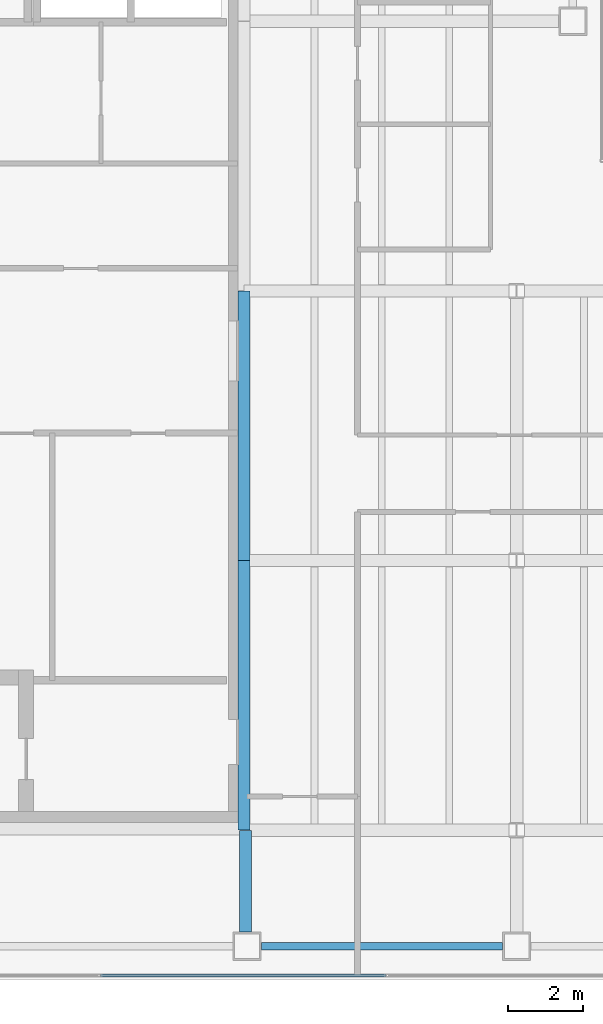
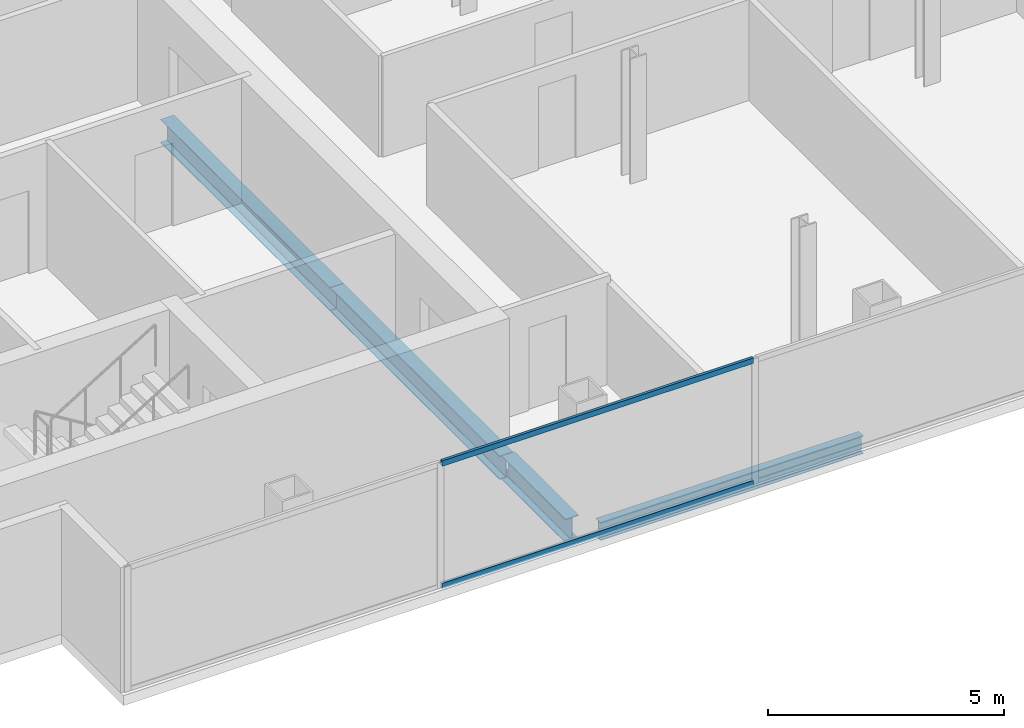
# One storey, part 3 of 23: 4 beams, 2 members, 1 element without a shape of its own.
"""IFC4 building model written with IfcOpenShell, lengths in metres."""

from ifc_helpers import new_model, si_unit, direction, frame, origin, origin_2d, place, context, subcontext, project, spatial, hollow_rectangle, i_section, extrude, material, material_profile, profile_set, type_object, element, aggregate, save


model = new_model("IFC4")

# Units and contexts
model_context = context("Model", 3, precision=1e-05, world=origin(), true_north=direction((0.0, 1.0)))
body_context = subcontext(model_context, "Body", "Model", "MODEL_VIEW")
ifc_project = project(units=[si_unit("LENGTHUNIT", "METRE"), si_unit("AREAUNIT", "SQUARE_METRE"), si_unit("VOLUMEUNIT", "CUBIC_METRE"), si_unit("PLANEANGLEUNIT", "RADIAN"), si_unit("MASSUNIT", "GRAM", prefix="KILO")], contexts=[model_context])

# Site, building, storey
site_placement = place(None, origin())
site = spatial("IfcSite", under=ifc_project, at=site_placement, CompositionType="ELEMENT")
building_placement = place(site_placement, origin())
building = spatial("IfcBuilding", under=site, at=building_placement, Name="Cobrela Telecom Tower", CompositionType="ELEMENT")
storey_placement = place(building_placement, frame((0.0, 0.0, 215.25)))
storey = spatial("IfcBuildingStorey", under=building, at=storey_placement, Name="L55", CompositionType="ELEMENT", Elevation=215.25)

# Beams
ifc_material_1 = material(Name="Steel ASTM A992 Grade 50", Category="steel")
ifc_material_profile_1 = material_profile(ifc_material_1, i_section(OverallWidth=0.324951171875, OverallDepth=0.612060546875, WebThickness=0.0126953125, FlangeThickness=0.01904296875, FilletRadius=0.014892578125, at=origin_2d()), Name="W24X104")
ifc_profile_set_1 = profile_set([ifc_material_profile_1], Name="Steel ASTM A992 Grade 50")
beam_type_1 = type_object("IfcBeamType", Name="BM-GIRD-07", PredefinedType="USERDEFINED", material=ifc_profile_set_1)
beam_1_placement = place(storey_placement, frame((14.360107421875, 4.47998046875, -0.56591796875), z_axis=(0.0, 1.0, 0.0), x_axis=(-1.0, 0.0, 0.0)))
element("IfcBeam", 1, at=beam_1_placement, inside=storey, type_object=beam_type_1, Name="L55 Primary Girder Y26", ObjectType="GIRDER", PredefinedType="USERDEFINED", context=body_context, shape_type="SweptSolid", body=[
    extrude(i_section(OverallWidth=0.324951171875, OverallDepth=0.612060546875, WebThickness=0.0126953125, FlangeThickness=0.01904296875, FilletRadius=0.014892578125, at=origin_2d()), origin(), (0.0, 0.0, 1.0), 2.715087890625),
])
for number, where, z_axis, x_axis, name in (
    (2, (14.320068359375, 7.205078125, -0.56591796875), (0.0, 1.0, 0.0), (-1.0, 0.0, 0.0), "L55 Primary Girder Y27"),
    (3, (14.320068359375, 14.405029296875, -0.56591796875), (0.0, 1.0, 0.0), (-1.0, 0.0, 0.0), "L55 Primary Girder Y28"),
):
    element("IfcBeam", number, at=place(storey_placement, frame(where, z_axis=z_axis, x_axis=x_axis)), inside=storey, type_object=beam_type_1, Name=name, ObjectType="GIRDER", PredefinedType="USERDEFINED", context=body_context, shape_type="SweptSolid", body=[
        extrude(i_section(OverallWidth=0.324951171875, OverallDepth=0.612060546875, WebThickness=0.0126953125, FlangeThickness=0.01904296875, FilletRadius=0.014892578125, at=origin_2d()), origin(), (0.0, 0.0, 1.0), 7.18994140625),
    ])
ifc_material_profile_2 = material_profile(ifc_material_1, i_section(OverallWidth=0.193115234375, OverallDepth=0.467041015625, WebThickness=0.011474609375, FlangeThickness=0.01904296875, FilletRadius=0.012939453125, at=origin_2d()), Name="W18X65")
ifc_profile_set_2 = profile_set([ifc_material_profile_2], Name="Steel ASTM A992 Grade 50")
beam_type_2 = type_object("IfcBeamType", Name="BM-SPAND-05", PredefinedType="SPANDREL", material=ifc_profile_set_2)
beam_2_placement = place(storey_placement, frame((14.780029296875, 4.10009765625, -0.493408203125), z_axis=(1.0, 0.0, 0.0), x_axis=(0.0, 1.0, 0.0)))
element("IfcBeam", 4, at=beam_2_placement, inside=storey, type_object=beam_type_2, Name="L55 Perimeter Spandrel X02", PredefinedType="SPANDREL", context=body_context, shape_type="SweptSolid", body=[
    extrude(i_section(OverallWidth=0.193115234375, OverallDepth=0.467041015625, WebThickness=0.011474609375, FlangeThickness=0.01904296875, FilletRadius=0.012939453125, at=origin_2d()), origin(), (0.0, 0.0, 1.0), 6.43994140625),
])

# Curtain wall, members
ifc_material_2 = material(Name="Anodized Bronze Aluminium 6063-T6", Category="aluminium")
curtain_wall_type = type_object("IfcCurtainWallType", Name="CW-SYS-OFF-LO", PredefinedType="USERDEFINED", material=ifc_material_2)
curtain_wall_placement = place(storey_placement, origin())
curtain_wall = element("IfcCurtainWall", 5, at=curtain_wall_placement, inside=storey, type_object=curtain_wall_type, Name="L55 Unitised Bronze Curtain Wall 17", ObjectType="UNITISED CURTAIN WALL", PredefinedType="USERDEFINED")
ifc_material_profile_3 = material_profile(ifc_material_2, hollow_rectangle(XDim=0.070068359375, YDim=0.139892578125, WallThickness=0.00390625, at=origin_2d()), Name="ALU 70x140x4")
ifc_profile_set_3 = profile_set([ifc_material_profile_3], Name="Anodized Bronze Aluminium 6063-T6")
member_type = type_object("IfcMemberType", Name="CW-SYS-OFF-LO-TRN", PredefinedType="USERDEFINED", material=ifc_profile_set_3)
member_1_placement = place(storey_placement, frame((18.114990234375, 3.320068359375, 0.034912109375), z_axis=(-1.0, 0.0, 0.0), x_axis=(0.0, -1.0, 0.0)))
member_1 = element("IfcMember", 6, at=member_1_placement, type_object=member_type, Name="CW-OFF-LO transom 4.1", ObjectType="TRANSOM", PredefinedType="USERDEFINED", context=body_context, shape_type="SweptSolid", body=[
    extrude(hollow_rectangle(XDim=0.070068359375, YDim=0.139892578125, WallThickness=0.00390625, at=origin_2d()), origin(), (0.0, 0.0, 1.0), 7.6298828125),
])
member_2_placement = place(storey_placement, frame((18.114990234375, 3.320068359375, 3.205078125), z_axis=(-1.0, 0.0, 0.0), x_axis=(0.0, -1.0, 0.0)))
member_2 = element("IfcMember", 7, at=member_2_placement, type_object=member_type, Name="CW-OFF-LO transom 4.2", ObjectType="TRANSOM", PredefinedType="USERDEFINED", context=body_context, shape_type="SweptSolid", body=[
    extrude(hollow_rectangle(XDim=0.070068359375, YDim=0.139892578125, WallThickness=0.00390625, at=origin_2d()), origin(), (0.0, 0.0, 1.0), 7.6298828125),
])
aggregate(curtain_wall, [member_1, member_2])

save(model, "model.ifc")
